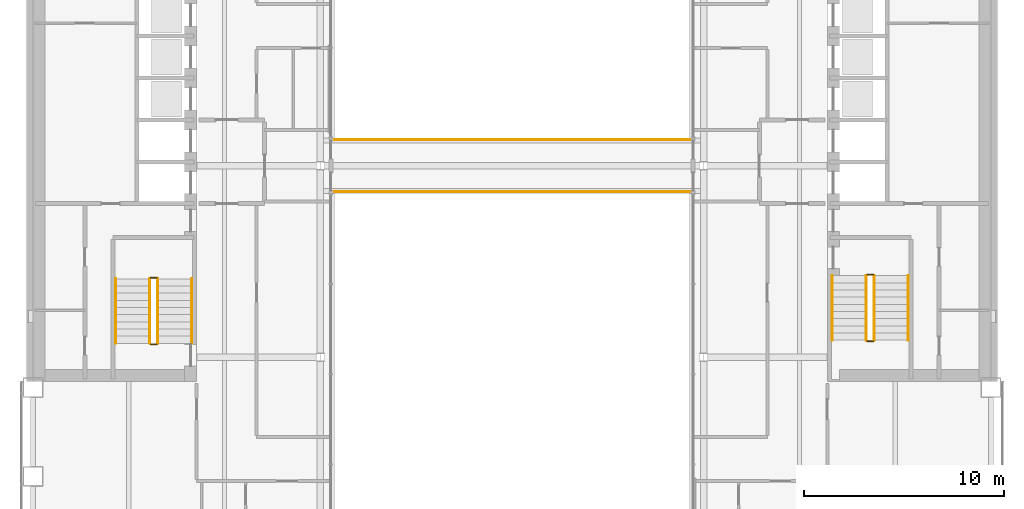
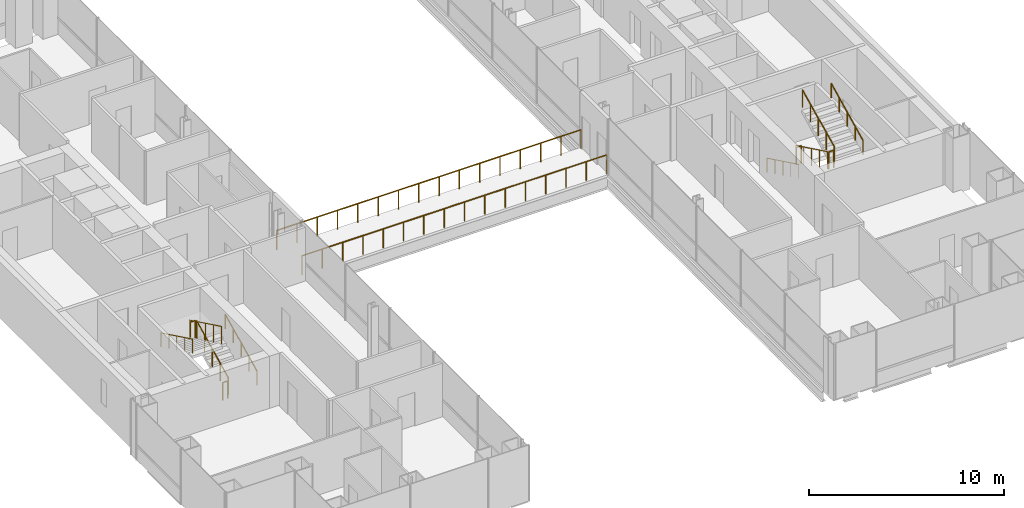
# One storey, part 17 of 18: 14 railings.
"""IFC4 building model written with IfcOpenShell, lengths in metres."""

from ifc_helpers import new_model, si_unit, direction, frame, origin, origin_2d, place, context, subcontext, project, spatial, circle, extrude, material, type_object, element, save


model = new_model("IFC4")

# Units and contexts
model_context = context("Model", 3, precision=1e-05, world=origin(), true_north=direction((0.0, 1.0)))
body_context = subcontext(model_context, "Body", "Model", "MODEL_VIEW")
ifc_project = project(units=[si_unit("LENGTHUNIT", "METRE"), si_unit("AREAUNIT", "SQUARE_METRE"), si_unit("VOLUMEUNIT", "CUBIC_METRE"), si_unit("PLANEANGLEUNIT", "RADIAN"), si_unit("MASSUNIT", "GRAM", prefix="KILO")], contexts=[model_context])

# Site, building, storey
site_placement = place(None, origin())
site = spatial("IfcSite", under=ifc_project, at=site_placement, CompositionType="ELEMENT")
building_placement = place(site_placement, origin())
building = spatial("IfcBuilding", under=site, at=building_placement, Name="Cobrizo Arcos Hotel Tower", CompositionType="ELEMENT")
storey_placement = place(building_placement, frame((0.0, 0.0, 77.5)))
storey = spatial("IfcBuildingStorey", under=building, at=storey_placement, Name="L18", CompositionType="ELEMENT", Elevation=77.5)

# Railings
ifc_material = material(Name="Stainless steel railing", Category="steel")
railing_type_1 = type_object("IfcRailingType", Name="Sky bridge guard 1200", PredefinedType="GUARDRAIL", material=ifc_material)
railing_1_placement = place(storey_placement, frame((-9.0, 1.300048828125, 0.0)))
element("IfcRailing", 1, at=railing_1_placement, inside=storey, type_object=railing_type_1, Name="Sky bridge north guard", PredefinedType="GUARDRAIL", context=body_context, shape_type="SweptSolid", body=[
    extrude(circle(Radius=0.02392578125, at=origin_2d()), frame((0.0, 0.0, 1.17578125), z_axis=(1.0, 0.0, 0.0), x_axis=(0.0, 1.0, 0.0)), (0.0, 0.0, 1.0), 18.0),
    extrude(circle(Radius=0.02099609375, at=origin_2d()), origin(), (0.0, 0.0, 1.0), 1.15185546875),
    extrude(circle(Radius=0.02099609375, at=origin_2d()), frame((1.199951171875, 0.0, 0.0)), (0.0, 0.0, 1.0), 1.15185546875),
    extrude(circle(Radius=0.02099609375, at=origin_2d()), frame((2.39990234375, 0.0, 0.0)), (0.0, 0.0, 1.0), 1.15185546875),
    extrude(circle(Radius=0.02099609375, at=origin_2d()), frame((3.60009765625, 0.0, 0.0)), (0.0, 0.0, 1.0), 1.15185546875),
    extrude(circle(Radius=0.02099609375, at=origin_2d()), frame((4.800048828125, 0.0, 0.0)), (0.0, 0.0, 1.0), 1.15185546875),
    extrude(circle(Radius=0.02099609375, at=origin_2d()), frame((6.0, 0.0, 0.0)), (0.0, 0.0, 1.0), 1.15185546875),
    extrude(circle(Radius=0.02099609375, at=origin_2d()), frame((7.199951171875, 0.0, 0.0)), (0.0, 0.0, 1.0), 1.15185546875),
    extrude(circle(Radius=0.02099609375, at=origin_2d()), frame((8.39990234375, 0.0, 0.0)), (0.0, 0.0, 1.0), 1.15185546875),
    extrude(circle(Radius=0.02099609375, at=origin_2d()), frame((9.60009765625, 0.0, 0.0)), (0.0, 0.0, 1.0), 1.15185546875),
    extrude(circle(Radius=0.02099609375, at=origin_2d()), frame((10.800048828125, 0.0, 0.0)), (0.0, 0.0, 1.0), 1.15185546875),
    extrude(circle(Radius=0.02099609375, at=origin_2d()), frame((12.0, 0.0, 0.0)), (0.0, 0.0, 1.0), 1.15185546875),
    extrude(circle(Radius=0.02099609375, at=origin_2d()), frame((13.199951171875, 0.0, 0.0)), (0.0, 0.0, 1.0), 1.15185546875),
    extrude(circle(Radius=0.02099609375, at=origin_2d()), frame((14.39990234375, 0.0, 0.0)), (0.0, 0.0, 1.0), 1.15185546875),
    extrude(circle(Radius=0.02099609375, at=origin_2d()), frame((15.60009765625, 0.0, 0.0)), (0.0, 0.0, 1.0), 1.15185546875),
    extrude(circle(Radius=0.02099609375, at=origin_2d()), frame((16.800048828125, 0.0, 0.0)), (0.0, 0.0, 1.0), 1.15185546875),
    extrude(circle(Radius=0.02099609375, at=origin_2d()), frame((18.0, 0.0, 0.0)), (0.0, 0.0, 1.0), 1.15185546875),
])
railing_2_placement = place(storey_placement, frame((-9.0, -1.300048828125, 0.0)))
element("IfcRailing", 2, at=railing_2_placement, inside=storey, type_object=railing_type_1, Name="Sky bridge south guard", PredefinedType="GUARDRAIL", context=body_context, shape_type="SweptSolid", body=[
    extrude(circle(Radius=0.02392578125, at=origin_2d()), frame((0.0, 0.0, 1.17578125), z_axis=(1.0, 0.0, 0.0), x_axis=(0.0, 1.0, 0.0)), (0.0, 0.0, 1.0), 18.0),
    extrude(circle(Radius=0.02099609375, at=origin_2d()), origin(), (0.0, 0.0, 1.0), 1.15185546875),
    extrude(circle(Radius=0.02099609375, at=origin_2d()), frame((1.199951171875, 0.0, 0.0)), (0.0, 0.0, 1.0), 1.15185546875),
    extrude(circle(Radius=0.02099609375, at=origin_2d()), frame((2.39990234375, 0.0, 0.0)), (0.0, 0.0, 1.0), 1.15185546875),
    extrude(circle(Radius=0.02099609375, at=origin_2d()), frame((3.60009765625, 0.0, 0.0)), (0.0, 0.0, 1.0), 1.15185546875),
    extrude(circle(Radius=0.02099609375, at=origin_2d()), frame((4.800048828125, 0.0, 0.0)), (0.0, 0.0, 1.0), 1.15185546875),
    extrude(circle(Radius=0.02099609375, at=origin_2d()), frame((6.0, 0.0, 0.0)), (0.0, 0.0, 1.0), 1.15185546875),
    extrude(circle(Radius=0.02099609375, at=origin_2d()), frame((7.199951171875, 0.0, 0.0)), (0.0, 0.0, 1.0), 1.15185546875),
    extrude(circle(Radius=0.02099609375, at=origin_2d()), frame((8.39990234375, 0.0, 0.0)), (0.0, 0.0, 1.0), 1.15185546875),
    extrude(circle(Radius=0.02099609375, at=origin_2d()), frame((9.60009765625, 0.0, 0.0)), (0.0, 0.0, 1.0), 1.15185546875),
    extrude(circle(Radius=0.02099609375, at=origin_2d()), frame((10.800048828125, 0.0, 0.0)), (0.0, 0.0, 1.0), 1.15185546875),
    extrude(circle(Radius=0.02099609375, at=origin_2d()), frame((12.0, 0.0, 0.0)), (0.0, 0.0, 1.0), 1.15185546875),
    extrude(circle(Radius=0.02099609375, at=origin_2d()), frame((13.199951171875, 0.0, 0.0)), (0.0, 0.0, 1.0), 1.15185546875),
    extrude(circle(Radius=0.02099609375, at=origin_2d()), frame((14.39990234375, 0.0, 0.0)), (0.0, 0.0, 1.0), 1.15185546875),
    extrude(circle(Radius=0.02099609375, at=origin_2d()), frame((15.60009765625, 0.0, 0.0)), (0.0, 0.0, 1.0), 1.15185546875),
    extrude(circle(Radius=0.02099609375, at=origin_2d()), frame((16.800048828125, 0.0, 0.0)), (0.0, 0.0, 1.0), 1.15185546875),
    extrude(circle(Radius=0.02099609375, at=origin_2d()), frame((18.0, 0.0, 0.0)), (0.0, 0.0, 1.0), 1.15185546875),
])
railing_type_2 = type_object("IfcRailingType", Name="Stair guard 1100", PredefinedType="GUARDRAIL", material=ifc_material)
railing_3_placement = place(storey_placement, frame((-17.75, -8.89990234375, 0.175048828125)))
element("IfcRailing", 3, at=railing_3_placement, inside=storey, type_object=railing_type_2, Name="L18 ST-W stair guard 1", PredefinedType="GUARDRAIL", context=body_context, shape_type="SweptSolid", body=[
    extrude(circle(Radius=0.02392578125, at=origin_2d()), frame((0.0, 0.0, 1.076171875), z_axis=(0.0, 0.899372665325, 0.437182809435), x_axis=(-1.0, 0.0, 0.0)), (0.0, 0.0, 1.0), 3.6025390625),
    extrude(circle(Radius=0.02099609375, at=origin_2d()), origin(), (0.0, 0.0, 1.0), 1.052001953125),
    extrude(circle(Radius=0.02099609375, at=origin_2d()), frame((0.0, 0.81005859375, 0.393798828125)), (0.0, 0.0, 1.0), 1.052001953125),
    extrude(circle(Radius=0.02099609375, at=origin_2d()), frame((0.0, 1.6201171875, 0.78759765625)), (0.0, 0.0, 1.0), 1.052001953125),
    extrude(circle(Radius=0.02099609375, at=origin_2d()), frame((0.0, 2.429931640625, 1.18115234375)), (0.0, 0.0, 1.0), 1.052001953125),
    extrude(circle(Radius=0.02099609375, at=origin_2d()), frame((0.0, 3.239990234375, 1.574951171875)), (0.0, 0.0, 1.0), 1.052001953125),
])
railing_4_placement = place(storey_placement, frame((-17.800048828125, -5.610107421875, 1.75)))
element("IfcRailing", 4, at=railing_4_placement, inside=storey, type_object=railing_type_2, Name="L18 ST-W stair guard 2", PredefinedType="GUARDRAIL", context=body_context, shape_type="SweptSolid", body=[
    extrude(circle(Radius=0.02392578125, at=origin_2d()), frame((0.0, 0.0, 1.076171875), z_axis=(-1.0, 0.0, 0.0), x_axis=(0.0, -1.0, 0.0)), (0.0, 0.0, 1.0), 0.300048828125),
    extrude(circle(Radius=0.02099609375, at=origin_2d()), origin(), (0.0, 0.0, 1.0), 1.052001953125),
    extrude(circle(Radius=0.02099609375, at=origin_2d()), frame((-0.300048828125, 0.0, 0.0)), (0.0, 0.0, 1.0), 1.052001953125),
])
railing_5_placement = place(storey_placement, frame((-18.14990234375, -5.659912109375, 1.925048828125)))
element("IfcRailing", 5, at=railing_5_placement, inside=storey, type_object=railing_type_2, Name="L18 ST-W stair guard 3", PredefinedType="GUARDRAIL", context=body_context, shape_type="SweptSolid", body=[
    extrude(circle(Radius=0.02392578125, at=origin_2d()), frame((0.0, 0.0, 1.076171875), z_axis=(0.0, -0.899372665325, 0.437182809435), x_axis=(1.0, 0.0, 0.0)), (0.0, 0.0, 1.0), 3.6025390625),
    extrude(circle(Radius=0.02099609375, at=origin_2d()), origin(), (0.0, 0.0, 1.0), 1.052001953125),
    extrude(circle(Radius=0.02099609375, at=origin_2d()), frame((0.0, -0.81005859375, 0.393798828125)), (0.0, 0.0, 1.0), 1.052001953125),
    extrude(circle(Radius=0.02099609375, at=origin_2d()), frame((0.0, -1.6201171875, 0.78759765625)), (0.0, 0.0, 1.0), 1.052001953125),
    extrude(circle(Radius=0.02099609375, at=origin_2d()), frame((0.0, -2.429931640625, 1.18115234375)), (0.0, 0.0, 1.0), 1.052001953125),
    extrude(circle(Radius=0.02099609375, at=origin_2d()), frame((0.0, -3.239990234375, 1.574951171875)), (0.0, 0.0, 1.0), 1.052001953125),
])
railing_6_placement = place(storey_placement, frame((-17.800048828125, -8.949951171875, 0.0)))
element("IfcRailing", 6, at=railing_6_placement, inside=storey, type_object=railing_type_2, Name="L18 ST-W stair guard 4", PredefinedType="GUARDRAIL", context=body_context, shape_type="SweptSolid", body=[
    extrude(circle(Radius=0.02392578125, at=origin_2d()), frame((0.0, 0.0, 1.076171875), z_axis=(-1.0, 0.0, 0.0), x_axis=(0.0, -1.0, 0.0)), (0.0, 0.0, 1.0), 0.300048828125),
    extrude(circle(Radius=0.02099609375, at=origin_2d()), origin(), (0.0, 0.0, 1.0), 1.052001953125),
    extrude(circle(Radius=0.02099609375, at=origin_2d()), frame((-0.300048828125, 0.0, 0.0)), (0.0, 0.0, 1.0), 1.052001953125),
])
railing_7_placement = place(storey_placement, frame((17.75, -5.5, 0.175048828125)))
element("IfcRailing", 7, at=railing_7_placement, inside=storey, type_object=railing_type_2, Name="L18 ST-E stair guard 1", PredefinedType="GUARDRAIL", context=body_context, shape_type="SweptSolid", body=[
    extrude(circle(Radius=0.02392578125, at=origin_2d()), frame((0.0, 0.0, 1.076171875), z_axis=(0.0, -0.899372665325, 0.437182809435), x_axis=(1.0, 0.0, 0.0)), (0.0, 0.0, 1.0), 3.6025390625),
    extrude(circle(Radius=0.02099609375, at=origin_2d()), origin(), (0.0, 0.0, 1.0), 1.052001953125),
    extrude(circle(Radius=0.02099609375, at=origin_2d()), frame((0.0, -0.81005859375, 0.393798828125)), (0.0, 0.0, 1.0), 1.052001953125),
    extrude(circle(Radius=0.02099609375, at=origin_2d()), frame((0.0, -1.6201171875, 0.78759765625)), (0.0, 0.0, 1.0), 1.052001953125),
    extrude(circle(Radius=0.02099609375, at=origin_2d()), frame((0.0, -2.429931640625, 1.18115234375)), (0.0, 0.0, 1.0), 1.052001953125),
    extrude(circle(Radius=0.02099609375, at=origin_2d()), frame((0.0, -3.239990234375, 1.574951171875)), (0.0, 0.0, 1.0), 1.052001953125),
])
railing_8_placement = place(storey_placement, frame((17.800048828125, -8.7900390625, 1.75)))
element("IfcRailing", 8, at=railing_8_placement, inside=storey, type_object=railing_type_2, Name="L18 ST-E stair guard 2", PredefinedType="GUARDRAIL", context=body_context, shape_type="SweptSolid", body=[
    extrude(circle(Radius=0.02392578125, at=origin_2d()), frame((0.0, 0.0, 1.076171875), z_axis=(1.0, 0.0, 0.0), x_axis=(0.0, 1.0, 0.0)), (0.0, 0.0, 1.0), 0.300048828125),
    extrude(circle(Radius=0.02099609375, at=origin_2d()), origin(), (0.0, 0.0, 1.0), 1.052001953125),
    extrude(circle(Radius=0.02099609375, at=origin_2d()), frame((0.300048828125, 0.0, 0.0)), (0.0, 0.0, 1.0), 1.052001953125),
])
railing_9_placement = place(storey_placement, frame((18.14990234375, -8.739990234375, 1.925048828125)))
element("IfcRailing", 9, at=railing_9_placement, inside=storey, type_object=railing_type_2, Name="L18 ST-E stair guard 3", PredefinedType="GUARDRAIL", context=body_context, shape_type="SweptSolid", body=[
    extrude(circle(Radius=0.02392578125, at=origin_2d()), frame((0.0, 0.0, 1.076171875), z_axis=(0.0, 0.899372665325, 0.437182809435), x_axis=(-1.0, 0.0, 0.0)), (0.0, 0.0, 1.0), 3.6025390625),
    extrude(circle(Radius=0.02099609375, at=origin_2d()), origin(), (0.0, 0.0, 1.0), 1.052001953125),
    extrude(circle(Radius=0.02099609375, at=origin_2d()), frame((0.0, 0.81005859375, 0.393798828125)), (0.0, 0.0, 1.0), 1.052001953125),
    extrude(circle(Radius=0.02099609375, at=origin_2d()), frame((0.0, 1.6201171875, 0.78759765625)), (0.0, 0.0, 1.0), 1.052001953125),
    extrude(circle(Radius=0.02099609375, at=origin_2d()), frame((0.0, 2.429931640625, 1.18115234375)), (0.0, 0.0, 1.0), 1.052001953125),
    extrude(circle(Radius=0.02099609375, at=origin_2d()), frame((0.0, 3.239990234375, 1.574951171875)), (0.0, 0.0, 1.0), 1.052001953125),
])
railing_10_placement = place(storey_placement, frame((17.800048828125, -5.449951171875, 0.0)))
element("IfcRailing", 10, at=railing_10_placement, inside=storey, type_object=railing_type_2, Name="L18 ST-E stair guard 4", PredefinedType="GUARDRAIL", context=body_context, shape_type="SweptSolid", body=[
    extrude(circle(Radius=0.02392578125, at=origin_2d()), frame((0.0, 0.0, 1.076171875), z_axis=(1.0, 0.0, 0.0), x_axis=(0.0, 1.0, 0.0)), (0.0, 0.0, 1.0), 0.300048828125),
    extrude(circle(Radius=0.02099609375, at=origin_2d()), origin(), (0.0, 0.0, 1.0), 1.052001953125),
    extrude(circle(Radius=0.02099609375, at=origin_2d()), frame((0.300048828125, 0.0, 0.0)), (0.0, 0.0, 1.0), 1.052001953125),
])
railing_type_3 = type_object("IfcRailingType", Name="Stair handrail", PredefinedType="HANDRAIL", material=ifc_material)
railing_11_placement = place(storey_placement, frame((-16.050048828125, -8.89990234375, 0.175048828125)))
element("IfcRailing", 11, at=railing_11_placement, inside=storey, type_object=railing_type_3, Name="L18 ST-W stair handrail 1", PredefinedType="HANDRAIL", context=body_context, shape_type="SweptSolid", body=[
    extrude(circle(Radius=0.02392578125, at=origin_2d()), frame((0.0, 0.0, 0.8759765625), z_axis=(0.0, 0.899372665325, 0.437182809435), x_axis=(-1.0, 0.0, 0.0)), (0.0, 0.0, 1.0), 3.6025390625),
    extrude(circle(Radius=0.02099609375, at=origin_2d()), origin(), (0.0, 0.0, 1.0), 0.851806640625),
    extrude(circle(Radius=0.02099609375, at=origin_2d()), frame((0.0, 0.81005859375, 0.393798828125)), (0.0, 0.0, 1.0), 0.851806640625),
    extrude(circle(Radius=0.02099609375, at=origin_2d()), frame((0.0, 1.6201171875, 0.78759765625)), (0.0, 0.0, 1.0), 0.851806640625),
    extrude(circle(Radius=0.02099609375, at=origin_2d()), frame((0.0, 2.429931640625, 1.18115234375)), (0.0, 0.0, 1.0), 0.851806640625),
    extrude(circle(Radius=0.02099609375, at=origin_2d()), frame((0.0, 3.239990234375, 1.574951171875)), (0.0, 0.0, 1.0), 0.851806640625),
])
for number, where, name in (
    (12, (-19.85009765625, -5.659912109375, 1.925048828125), "L18 ST-W stair handrail 2"),
    (13, (16.050048828125, -5.5, 0.175048828125), "L18 ST-E stair handrail 1"),
):
    element("IfcRailing", number, at=place(storey_placement, frame(where)), inside=storey, type_object=railing_type_3, Name=name, PredefinedType="HANDRAIL", context=body_context, shape_type="SweptSolid", body=[
        extrude(circle(Radius=0.02392578125, at=origin_2d()), frame((0.0, 0.0, 0.8759765625), z_axis=(0.0, -0.899372665325, 0.437182809435), x_axis=(1.0, 0.0, 0.0)), (0.0, 0.0, 1.0), 3.6025390625),
        extrude(circle(Radius=0.02099609375, at=origin_2d()), origin(), (0.0, 0.0, 1.0), 0.851806640625),
        extrude(circle(Radius=0.02099609375, at=origin_2d()), frame((0.0, -0.81005859375, 0.393798828125)), (0.0, 0.0, 1.0), 0.851806640625),
        extrude(circle(Radius=0.02099609375, at=origin_2d()), frame((0.0, -1.6201171875, 0.78759765625)), (0.0, 0.0, 1.0), 0.851806640625),
        extrude(circle(Radius=0.02099609375, at=origin_2d()), frame((0.0, -2.429931640625, 1.18115234375)), (0.0, 0.0, 1.0), 0.851806640625),
        extrude(circle(Radius=0.02099609375, at=origin_2d()), frame((0.0, -3.239990234375, 1.574951171875)), (0.0, 0.0, 1.0), 0.851806640625),
    ])
railing_12_placement = place(storey_placement, frame((19.85009765625, -8.739990234375, 1.925048828125)))
element("IfcRailing", 14, at=railing_12_placement, inside=storey, type_object=railing_type_3, Name="L18 ST-E stair handrail 2", PredefinedType="HANDRAIL", context=body_context, shape_type="SweptSolid", body=[
    extrude(circle(Radius=0.02392578125, at=origin_2d()), frame((0.0, 0.0, 0.8759765625), z_axis=(0.0, 0.899372665325, 0.437182809435), x_axis=(-1.0, 0.0, 0.0)), (0.0, 0.0, 1.0), 3.6025390625),
    extrude(circle(Radius=0.02099609375, at=origin_2d()), origin(), (0.0, 0.0, 1.0), 0.851806640625),
    extrude(circle(Radius=0.02099609375, at=origin_2d()), frame((0.0, 0.81005859375, 0.393798828125)), (0.0, 0.0, 1.0), 0.851806640625),
    extrude(circle(Radius=0.02099609375, at=origin_2d()), frame((0.0, 1.6201171875, 0.78759765625)), (0.0, 0.0, 1.0), 0.851806640625),
    extrude(circle(Radius=0.02099609375, at=origin_2d()), frame((0.0, 2.429931640625, 1.18115234375)), (0.0, 0.0, 1.0), 0.851806640625),
    extrude(circle(Radius=0.02099609375, at=origin_2d()), frame((0.0, 3.239990234375, 1.574951171875)), (0.0, 0.0, 1.0), 0.851806640625),
])

save(model, "model.ifc")
